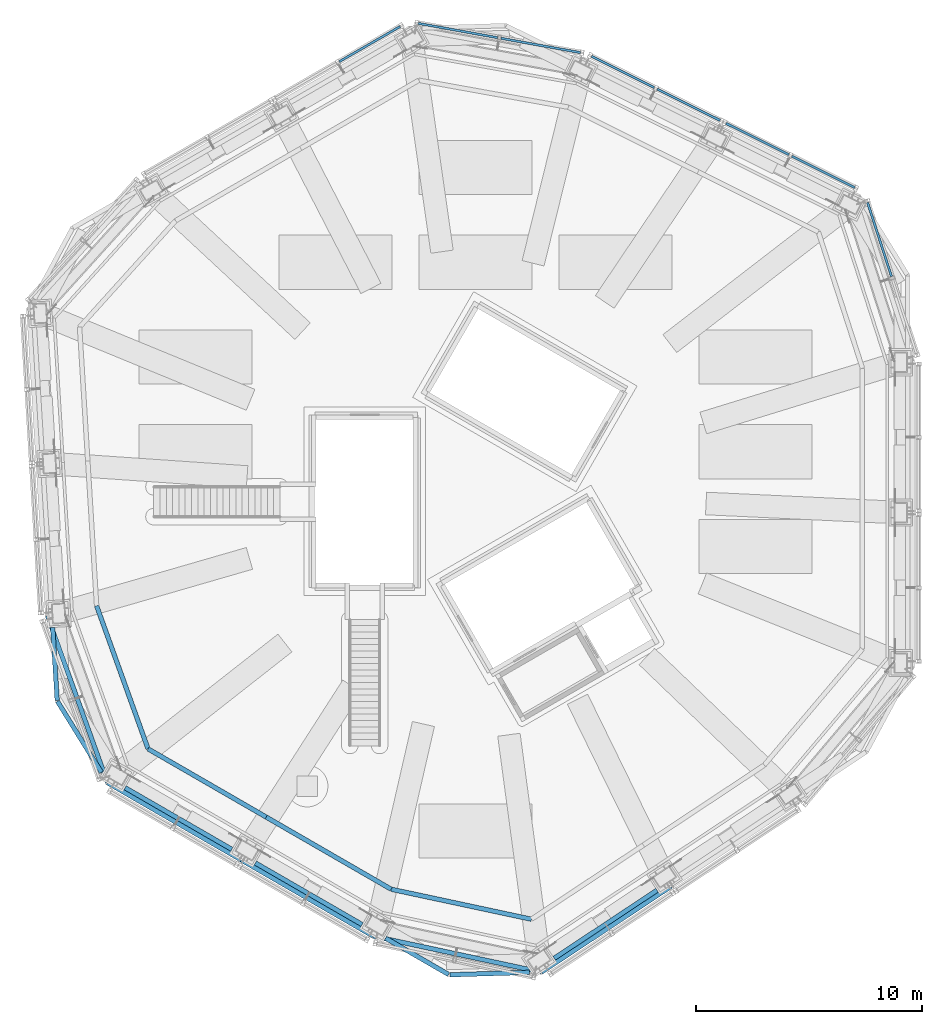
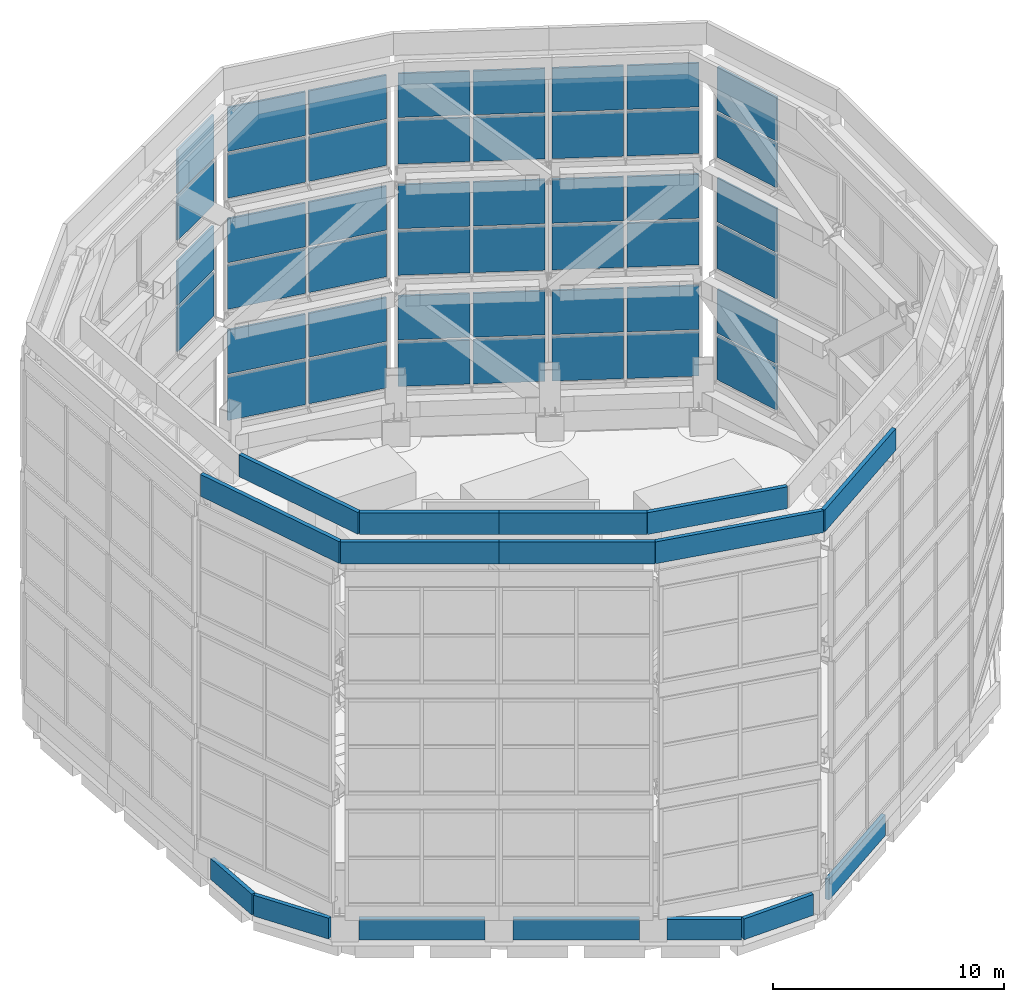
# One storey, part 20 of 46: 46 plates, 16 walls, 14 elements without a shape of their own.
"""IFC4 building model written with IfcOpenShell, lengths in metres."""

from ifc_helpers import new_model, si_unit, direction, frame, frame_2d, origin, origin_2d, place, context, subcontext, project, spatial, rectangle, extrude, material, layer, layer_set, type_object, element, aggregate, save


model = new_model("IFC4")

# Units and contexts
model_context = context("Model", 3, precision=1e-05, world=origin(), true_north=direction((0.0, 1.0)))
body_context = subcontext(model_context, "Body", "Model", "MODEL_VIEW")
ifc_project = project(units=[si_unit("LENGTHUNIT", "METRE"), si_unit("AREAUNIT", "SQUARE_METRE"), si_unit("VOLUMEUNIT", "CUBIC_METRE"), si_unit("PLANEANGLEUNIT", "RADIAN"), si_unit("MASSUNIT", "GRAM", prefix="KILO")], contexts=[model_context])

# Site, building, storey
site_placement = place(None, origin())
site = spatial("IfcSite", under=ifc_project, at=site_placement, CompositionType="ELEMENT")
building_placement = place(site_placement, origin())
building = spatial("IfcBuilding", under=site, at=building_placement, Name="Vanh Sen Convention Tower", CompositionType="ELEMENT")
storey_placement = place(building_placement, frame((0.0, 0.0, 305.0)))
storey = spatial("IfcBuildingStorey", under=building, at=storey_placement, Name="Roof level", CompositionType="ELEMENT", Elevation=305.0)

# Curtain wall, plates
ifc_material_1 = material(Name="Concrete C60/75", Category="concrete")
curtain_wall_type = type_object("IfcCurtainWallType", Name="Crown screen", PredefinedType="NOTDEFINED", material=ifc_material_1)
curtain_wall_1_placement = place(storey_placement, origin())
curtain_wall_1 = element("IfcCurtainWall", 1, at=curtain_wall_1_placement, inside=storey, type_object=curtain_wall_type, Name="CROWN SCREEN 03 tier 1", PredefinedType="NOTDEFINED")
ifc_layer_1 = layer(ifc_material_1, 0.10009765625)
ifc_layer_set_1 = layer_set([ifc_layer_1], Name="Concrete C60/75")
plate_type = type_object("IfcPlateType", Name="Crown screen precast panel 100", PredefinedType="CURTAIN_PANEL", material=ifc_layer_set_1)
plate_1_placement = place(storey_placement, frame((17.85595703125, 11.21728515625, 2.294921875), z_axis=(0.0, 0.0, 1.0), x_axis=(-0.307732807972, 0.951472815638, 0.0)))
plate_1 = element("IfcPlate", 2, at=plate_1_placement, type_object=plate_type, Name="CROWN SCREEN6 panel 2.1", PredefinedType="CURTAIN_PANEL", context=body_context, shape_type="SweptSolid", body=[
    extrude(rectangle(XDim=3.442626953125, YDim=0.10009765625, at=origin_2d()), origin(), (0.0, 0.0, 1.0), 2.30908203125),
])
plate_2_placement = place(storey_placement, frame((17.85595703125, 11.21728515625, 4.754150390625), z_axis=(0.0, 0.0, 1.0), x_axis=(-0.307732807972, 0.951472815638, 0.0)))
plate_2 = element("IfcPlate", 3, at=plate_2_placement, type_object=plate_type, Name="CROWN SCREEN6 panel 2.2", PredefinedType="CURTAIN_PANEL", context=body_context, shape_type="SweptSolid", body=[
    extrude(rectangle(XDim=3.442626953125, YDim=0.10009765625, at=origin_2d()), origin(), (0.0, 0.0, 1.0), 2.30908203125),
])
aggregate(curtain_wall_1, [plate_1, plate_2])

curtain_wall_2_placement = place(storey_placement, origin())
curtain_wall_2 = element("IfcCurtainWall", 4, at=curtain_wall_2_placement, inside=storey, type_object=curtain_wall_type, Name="CROWN SCREEN 03 tier 2", PredefinedType="NOTDEFINED")
plate_3_placement = place(storey_placement, frame((17.85595703125, 11.21728515625, 8.163330078125), z_axis=(0.0, 0.0, 1.0), x_axis=(-0.307732807972, 0.951472815638, 0.0)))
plate_3 = element("IfcPlate", 5, at=plate_3_placement, type_object=plate_type, Name="CROWN SCREEN6 panel 2.1", PredefinedType="CURTAIN_PANEL", context=body_context, shape_type="SweptSolid", body=[
    extrude(rectangle(XDim=3.442626953125, YDim=0.10009765625, at=origin_2d()), origin(), (0.0, 0.0, 1.0), 2.30908203125),
])
plate_4_placement = place(storey_placement, frame((17.85595703125, 11.21728515625, 10.62255859375), z_axis=(0.0, 0.0, 1.0), x_axis=(-0.307732807972, 0.951472815638, 0.0)))
plate_4 = element("IfcPlate", 6, at=plate_4_placement, type_object=plate_type, Name="CROWN SCREEN6 panel 2.2", PredefinedType="CURTAIN_PANEL", context=body_context, shape_type="SweptSolid", body=[
    extrude(rectangle(XDim=3.442626953125, YDim=0.10009765625, at=origin_2d()), origin(), (0.0, 0.0, 1.0), 2.30908203125),
])
aggregate(curtain_wall_2, [plate_3, plate_4])

curtain_wall_3_placement = place(storey_placement, origin())
curtain_wall_3 = element("IfcCurtainWall", 7, at=curtain_wall_3_placement, inside=storey, type_object=curtain_wall_type, Name="CROWN SCREEN 03 tier 3", PredefinedType="NOTDEFINED")
plate_5_placement = place(storey_placement, frame((17.85595703125, 11.21728515625, 14.03173828125), z_axis=(0.0, 0.0, 1.0), x_axis=(-0.307732807972, 0.951472815638, 0.0)))
plate_5 = element("IfcPlate", 8, at=plate_5_placement, type_object=plate_type, Name="CROWN SCREEN6 panel 2.1", PredefinedType="CURTAIN_PANEL", context=body_context, shape_type="SweptSolid", body=[
    extrude(rectangle(XDim=3.442626953125, YDim=0.10009765625, at=origin_2d()), origin(), (0.0, 0.0, 1.0), 2.30908203125),
])
plate_6_placement = place(storey_placement, frame((17.85595703125, 11.21728515625, 16.490966796875), z_axis=(0.0, 0.0, 1.0), x_axis=(-0.307732807972, 0.951472815638, 0.0)))
plate_6 = element("IfcPlate", 9, at=plate_6_placement, type_object=plate_type, Name="CROWN SCREEN6 panel 2.2", PredefinedType="CURTAIN_PANEL", context=body_context, shape_type="SweptSolid", body=[
    extrude(rectangle(XDim=3.442626953125, YDim=0.10009765625, at=origin_2d()), origin(), (0.0, 0.0, 1.0), 2.30908203125),
])
aggregate(curtain_wall_3, [plate_5, plate_6])

curtain_wall_4_placement = place(storey_placement, origin())
curtain_wall_4 = element("IfcCurtainWall", 10, at=curtain_wall_4_placement, inside=storey, type_object=curtain_wall_type, Name="CROWN SCREEN 04 tier 1", PredefinedType="NOTDEFINED")
plate_7_placement = place(storey_placement, frame((15.3642578125, 14.212890625, 2.294921875), z_axis=(0.0, 0.0, 1.0), x_axis=(-0.894930876482, 0.446204803111, 0.0)))
plate_7 = element("IfcPlate", 11, at=plate_7_placement, type_object=plate_type, Name="CROWN SCREEN6 panel 1.1", PredefinedType="CURTAIN_PANEL", context=body_context, shape_type="SweptSolid", body=[
    extrude(rectangle(XDim=3.106689453125, YDim=0.10009765625, at=origin_2d()), origin(), (0.0, 0.0, 1.0), 2.30908203125),
])
plate_8_placement = place(storey_placement, frame((15.3642578125, 14.212890625, 4.754150390625), z_axis=(0.0, 0.0, 1.0), x_axis=(-0.894930876482, 0.446204803111, 0.0)))
plate_8 = element("IfcPlate", 12, at=plate_8_placement, type_object=plate_type, Name="CROWN SCREEN6 panel 1.2", PredefinedType="CURTAIN_PANEL", context=body_context, shape_type="SweptSolid", body=[
    extrude(rectangle(XDim=3.106689453125, YDim=0.10009765625, at=origin_2d()), origin(), (0.0, 0.0, 1.0), 2.30908203125),
])
plate_9_placement = place(storey_placement, frame((12.44970703125, 15.666015625, 2.294921875), z_axis=(0.0, 0.0, 1.0), x_axis=(-0.894930876482, 0.446204803111, 0.0)))
plate_9 = element("IfcPlate", 13, at=plate_9_placement, type_object=plate_type, Name="CROWN SCREEN6 panel 2.1", PredefinedType="CURTAIN_PANEL", context=body_context, shape_type="SweptSolid", body=[
    extrude(rectangle(XDim=3.106689453125, YDim=0.10009765625, at=origin_2d()), origin(), (0.0, 0.0, 1.0), 2.30908203125),
])
plate_10_placement = place(storey_placement, frame((12.44970703125, 15.666015625, 4.754150390625), z_axis=(0.0, 0.0, 1.0), x_axis=(-0.894930876482, 0.446204803111, 0.0)))
plate_10 = element("IfcPlate", 14, at=plate_10_placement, type_object=plate_type, Name="CROWN SCREEN6 panel 2.2", PredefinedType="CURTAIN_PANEL", context=body_context, shape_type="SweptSolid", body=[
    extrude(rectangle(XDim=3.106689453125, YDim=0.10009765625, at=origin_2d()), origin(), (0.0, 0.0, 1.0), 2.30908203125),
])
aggregate(curtain_wall_4, [plate_7, plate_8, plate_9, plate_10])

curtain_wall_5_placement = place(storey_placement, origin())
curtain_wall_5 = element("IfcCurtainWall", 15, at=curtain_wall_5_placement, inside=storey, type_object=curtain_wall_type, Name="CROWN SCREEN 04 tier 2", PredefinedType="NOTDEFINED")
plate_11_placement = place(storey_placement, frame((15.3642578125, 14.212890625, 8.163330078125), z_axis=(0.0, 0.0, 1.0), x_axis=(-0.894930876482, 0.446204803111, 0.0)))
plate_11 = element("IfcPlate", 16, at=plate_11_placement, type_object=plate_type, Name="CROWN SCREEN6 panel 1.1", PredefinedType="CURTAIN_PANEL", context=body_context, shape_type="SweptSolid", body=[
    extrude(rectangle(XDim=3.106689453125, YDim=0.10009765625, at=origin_2d()), origin(), (0.0, 0.0, 1.0), 2.30908203125),
])
plate_12_placement = place(storey_placement, frame((15.3642578125, 14.212890625, 10.62255859375), z_axis=(0.0, 0.0, 1.0), x_axis=(-0.894930876482, 0.446204803111, 0.0)))
plate_12 = element("IfcPlate", 17, at=plate_12_placement, type_object=plate_type, Name="CROWN SCREEN6 panel 1.2", PredefinedType="CURTAIN_PANEL", context=body_context, shape_type="SweptSolid", body=[
    extrude(rectangle(XDim=3.106689453125, YDim=0.10009765625, at=origin_2d()), origin(), (0.0, 0.0, 1.0), 2.30908203125),
])
plate_13_placement = place(storey_placement, frame((12.44970703125, 15.666015625, 8.163330078125), z_axis=(0.0, 0.0, 1.0), x_axis=(-0.894930876482, 0.446204803111, 0.0)))
plate_13 = element("IfcPlate", 18, at=plate_13_placement, type_object=plate_type, Name="CROWN SCREEN6 panel 2.1", PredefinedType="CURTAIN_PANEL", context=body_context, shape_type="SweptSolid", body=[
    extrude(rectangle(XDim=3.106689453125, YDim=0.10009765625, at=origin_2d()), origin(), (0.0, 0.0, 1.0), 2.30908203125),
])
plate_14_placement = place(storey_placement, frame((12.44970703125, 15.666015625, 10.62255859375), z_axis=(0.0, 0.0, 1.0), x_axis=(-0.894930876482, 0.446204803111, 0.0)))
plate_14 = element("IfcPlate", 19, at=plate_14_placement, type_object=plate_type, Name="CROWN SCREEN6 panel 2.2", PredefinedType="CURTAIN_PANEL", context=body_context, shape_type="SweptSolid", body=[
    extrude(rectangle(XDim=3.106689453125, YDim=0.10009765625, at=origin_2d()), origin(), (0.0, 0.0, 1.0), 2.30908203125),
])
aggregate(curtain_wall_5, [plate_11, plate_12, plate_13, plate_14])

curtain_wall_6_placement = place(storey_placement, origin())
curtain_wall_6 = element("IfcCurtainWall", 20, at=curtain_wall_6_placement, inside=storey, type_object=curtain_wall_type, Name="CROWN SCREEN 04 tier 3", PredefinedType="NOTDEFINED")
plate_15_placement = place(storey_placement, frame((15.3642578125, 14.212890625, 14.03173828125), z_axis=(0.0, 0.0, 1.0), x_axis=(-0.894930876482, 0.446204803111, 0.0)))
plate_15 = element("IfcPlate", 21, at=plate_15_placement, type_object=plate_type, Name="CROWN SCREEN6 panel 1.1", PredefinedType="CURTAIN_PANEL", context=body_context, shape_type="SweptSolid", body=[
    extrude(rectangle(XDim=3.106689453125, YDim=0.10009765625, at=origin_2d()), origin(), (0.0, 0.0, 1.0), 2.30908203125),
])
plate_16_placement = place(storey_placement, frame((15.3642578125, 14.212890625, 16.490966796875), z_axis=(0.0, 0.0, 1.0), x_axis=(-0.894930876482, 0.446204803111, 0.0)))
plate_16 = element("IfcPlate", 22, at=plate_16_placement, type_object=plate_type, Name="CROWN SCREEN6 panel 1.2", PredefinedType="CURTAIN_PANEL", context=body_context, shape_type="SweptSolid", body=[
    extrude(rectangle(XDim=3.106689453125, YDim=0.10009765625, at=origin_2d()), origin(), (0.0, 0.0, 1.0), 2.30908203125),
])
plate_17_placement = place(storey_placement, frame((12.44970703125, 15.666015625, 14.03173828125), z_axis=(0.0, 0.0, 1.0), x_axis=(-0.894930876482, 0.446204803111, 0.0)))
plate_17 = element("IfcPlate", 23, at=plate_17_placement, type_object=plate_type, Name="CROWN SCREEN6 panel 2.1", PredefinedType="CURTAIN_PANEL", context=body_context, shape_type="SweptSolid", body=[
    extrude(rectangle(XDim=3.106689453125, YDim=0.10009765625, at=origin_2d()), origin(), (0.0, 0.0, 1.0), 2.30908203125),
])
plate_18_placement = place(storey_placement, frame((12.44970703125, 15.666015625, 16.490966796875), z_axis=(0.0, 0.0, 1.0), x_axis=(-0.894930876482, 0.446204803111, 0.0)))
plate_18 = element("IfcPlate", 24, at=plate_18_placement, type_object=plate_type, Name="CROWN SCREEN6 panel 2.2", PredefinedType="CURTAIN_PANEL", context=body_context, shape_type="SweptSolid", body=[
    extrude(rectangle(XDim=3.106689453125, YDim=0.10009765625, at=origin_2d()), origin(), (0.0, 0.0, 1.0), 2.30908203125),
])
aggregate(curtain_wall_6, [plate_15, plate_16, plate_17, plate_18])

curtain_wall_7_placement = place(storey_placement, origin())
curtain_wall_7 = element("IfcCurtainWall", 25, at=curtain_wall_7_placement, inside=storey, type_object=curtain_wall_type, Name="CROWN SCREEN 05 tier 1", PredefinedType="NOTDEFINED")
plate_19_placement = place(storey_placement, frame((9.40087890625, 17.18603515625, 2.294921875), z_axis=(0.0, 0.0, 1.0), x_axis=(-0.894936869295, 0.44619278342, 0.0)))
plate_19 = element("IfcPlate", 26, at=plate_19_placement, type_object=plate_type, Name="CROWN SCREEN6 panel 1.1", PredefinedType="CURTAIN_PANEL", context=body_context, shape_type="SweptSolid", body=[
    extrude(rectangle(XDim=3.106689453125, YDim=0.10009765625, at=origin_2d()), origin(), (0.0, 0.0, 1.0), 2.30908203125),
])
plate_20_placement = place(storey_placement, frame((9.40087890625, 17.18603515625, 4.754150390625), z_axis=(0.0, 0.0, 1.0), x_axis=(-0.894936869295, 0.44619278342, 0.0)))
plate_20 = element("IfcPlate", 27, at=plate_20_placement, type_object=plate_type, Name="CROWN SCREEN6 panel 1.2", PredefinedType="CURTAIN_PANEL", context=body_context, shape_type="SweptSolid", body=[
    extrude(rectangle(XDim=3.106689453125, YDim=0.10009765625, at=origin_2d()), origin(), (0.0, 0.0, 1.0), 2.30908203125),
])
plate_21_placement = place(storey_placement, frame((6.486572265625, 18.63916015625, 2.294921875), z_axis=(0.0, 0.0, 1.0), x_axis=(-0.894936869295, 0.44619278342, 0.0)))
plate_21 = element("IfcPlate", 28, at=plate_21_placement, type_object=plate_type, Name="CROWN SCREEN6 panel 2.1", PredefinedType="CURTAIN_PANEL", context=body_context, shape_type="SweptSolid", body=[
    extrude(rectangle(XDim=3.106689453125, YDim=0.10009765625, at=origin_2d()), origin(), (0.0, 0.0, 1.0), 2.30908203125),
])
plate_22_placement = place(storey_placement, frame((6.486572265625, 18.63916015625, 4.754150390625), z_axis=(0.0, 0.0, 1.0), x_axis=(-0.894936869295, 0.44619278342, 0.0)))
plate_22 = element("IfcPlate", 29, at=plate_22_placement, type_object=plate_type, Name="CROWN SCREEN6 panel 2.2", PredefinedType="CURTAIN_PANEL", context=body_context, shape_type="SweptSolid", body=[
    extrude(rectangle(XDim=3.106689453125, YDim=0.10009765625, at=origin_2d()), origin(), (0.0, 0.0, 1.0), 2.30908203125),
])
aggregate(curtain_wall_7, [plate_19, plate_20, plate_21, plate_22])

curtain_wall_8_placement = place(storey_placement, origin())
curtain_wall_8 = element("IfcCurtainWall", 30, at=curtain_wall_8_placement, inside=storey, type_object=curtain_wall_type, Name="CROWN SCREEN 05 tier 2", PredefinedType="NOTDEFINED")
plate_23_placement = place(storey_placement, frame((9.40087890625, 17.18603515625, 8.163330078125), z_axis=(0.0, 0.0, 1.0), x_axis=(-0.894936869295, 0.44619278342, 0.0)))
plate_23 = element("IfcPlate", 31, at=plate_23_placement, type_object=plate_type, Name="CROWN SCREEN6 panel 1.1", PredefinedType="CURTAIN_PANEL", context=body_context, shape_type="SweptSolid", body=[
    extrude(rectangle(XDim=3.106689453125, YDim=0.10009765625, at=origin_2d()), origin(), (0.0, 0.0, 1.0), 2.30908203125),
])
plate_24_placement = place(storey_placement, frame((9.40087890625, 17.18603515625, 10.62255859375), z_axis=(0.0, 0.0, 1.0), x_axis=(-0.894936869295, 0.44619278342, 0.0)))
plate_24 = element("IfcPlate", 32, at=plate_24_placement, type_object=plate_type, Name="CROWN SCREEN6 panel 1.2", PredefinedType="CURTAIN_PANEL", context=body_context, shape_type="SweptSolid", body=[
    extrude(rectangle(XDim=3.106689453125, YDim=0.10009765625, at=origin_2d()), origin(), (0.0, 0.0, 1.0), 2.30908203125),
])
plate_25_placement = place(storey_placement, frame((6.486572265625, 18.63916015625, 8.163330078125), z_axis=(0.0, 0.0, 1.0), x_axis=(-0.894936869295, 0.44619278342, 0.0)))
plate_25 = element("IfcPlate", 33, at=plate_25_placement, type_object=plate_type, Name="CROWN SCREEN6 panel 2.1", PredefinedType="CURTAIN_PANEL", context=body_context, shape_type="SweptSolid", body=[
    extrude(rectangle(XDim=3.106689453125, YDim=0.10009765625, at=origin_2d()), origin(), (0.0, 0.0, 1.0), 2.30908203125),
])
plate_26_placement = place(storey_placement, frame((6.486572265625, 18.63916015625, 10.62255859375), z_axis=(0.0, 0.0, 1.0), x_axis=(-0.894936869295, 0.44619278342, 0.0)))
plate_26 = element("IfcPlate", 34, at=plate_26_placement, type_object=plate_type, Name="CROWN SCREEN6 panel 2.2", PredefinedType="CURTAIN_PANEL", context=body_context, shape_type="SweptSolid", body=[
    extrude(rectangle(XDim=3.106689453125, YDim=0.10009765625, at=origin_2d()), origin(), (0.0, 0.0, 1.0), 2.30908203125),
])
aggregate(curtain_wall_8, [plate_23, plate_24, plate_25, plate_26])

curtain_wall_9_placement = place(storey_placement, origin())
curtain_wall_9 = element("IfcCurtainWall", 35, at=curtain_wall_9_placement, inside=storey, type_object=curtain_wall_type, Name="CROWN SCREEN 05 tier 3", PredefinedType="NOTDEFINED")
plate_27_placement = place(storey_placement, frame((9.40087890625, 17.18603515625, 14.03173828125), z_axis=(0.0, 0.0, 1.0), x_axis=(-0.894936869295, 0.44619278342, 0.0)))
plate_27 = element("IfcPlate", 36, at=plate_27_placement, type_object=plate_type, Name="CROWN SCREEN6 panel 1.1", PredefinedType="CURTAIN_PANEL", context=body_context, shape_type="SweptSolid", body=[
    extrude(rectangle(XDim=3.106689453125, YDim=0.10009765625, at=origin_2d()), origin(), (0.0, 0.0, 1.0), 2.30908203125),
])
plate_28_placement = place(storey_placement, frame((9.40087890625, 17.18603515625, 16.490966796875), z_axis=(0.0, 0.0, 1.0), x_axis=(-0.894936869295, 0.44619278342, 0.0)))
plate_28 = element("IfcPlate", 37, at=plate_28_placement, type_object=plate_type, Name="CROWN SCREEN6 panel 1.2", PredefinedType="CURTAIN_PANEL", context=body_context, shape_type="SweptSolid", body=[
    extrude(rectangle(XDim=3.106689453125, YDim=0.10009765625, at=origin_2d()), origin(), (0.0, 0.0, 1.0), 2.30908203125),
])
plate_29_placement = place(storey_placement, frame((6.486572265625, 18.63916015625, 14.03173828125), z_axis=(0.0, 0.0, 1.0), x_axis=(-0.894936869295, 0.44619278342, 0.0)))
plate_29 = element("IfcPlate", 38, at=plate_29_placement, type_object=plate_type, Name="CROWN SCREEN6 panel 2.1", PredefinedType="CURTAIN_PANEL", context=body_context, shape_type="SweptSolid", body=[
    extrude(rectangle(XDim=3.106689453125, YDim=0.10009765625, at=origin_2d()), origin(), (0.0, 0.0, 1.0), 2.30908203125),
])
plate_30_placement = place(storey_placement, frame((6.486572265625, 18.63916015625, 16.490966796875), z_axis=(0.0, 0.0, 1.0), x_axis=(-0.894936869295, 0.44619278342, 0.0)))
plate_30 = element("IfcPlate", 39, at=plate_30_placement, type_object=plate_type, Name="CROWN SCREEN6 panel 2.2", PredefinedType="CURTAIN_PANEL", context=body_context, shape_type="SweptSolid", body=[
    extrude(rectangle(XDim=3.106689453125, YDim=0.10009765625, at=origin_2d()), origin(), (0.0, 0.0, 1.0), 2.30908203125),
])
aggregate(curtain_wall_9, [plate_27, plate_28, plate_29, plate_30])

curtain_wall_10_placement = place(storey_placement, origin())
curtain_wall_10 = element("IfcCurtainWall", 40, at=curtain_wall_10_placement, inside=storey, type_object=curtain_wall_type, Name="CROWN SCREEN 06 tier 1", PredefinedType="NOTDEFINED")
plate_31_placement = place(storey_placement, frame((2.846923828125, 19.812255859375, 2.294921875), z_axis=(0.0, 0.0, 1.0), x_axis=(-0.984121517761, 0.177496023276, 0.0)))
plate_31 = element("IfcPlate", 41, at=plate_31_placement, type_object=plate_type, Name="CROWN SCREEN6 panel 1.1", PredefinedType="CURTAIN_PANEL", context=body_context, shape_type="SweptSolid", body=[
    extrude(rectangle(XDim=3.57568359375, YDim=0.10009765625, at=origin_2d()), origin(), (0.0, 0.0, 1.0), 2.30908203125),
])
plate_32_placement = place(storey_placement, frame((2.846923828125, 19.812255859375, 4.754150390625), z_axis=(0.0, 0.0, 1.0), x_axis=(-0.984121517761, 0.177496023276, 0.0)))
plate_32 = element("IfcPlate", 42, at=plate_32_placement, type_object=plate_type, Name="CROWN SCREEN6 panel 1.2", PredefinedType="CURTAIN_PANEL", context=body_context, shape_type="SweptSolid", body=[
    extrude(rectangle(XDim=3.57568359375, YDim=0.10009765625, at=origin_2d()), origin(), (0.0, 0.0, 1.0), 2.30908203125),
])
plate_33_placement = place(storey_placement, frame((-0.819580078125, 20.473388671875, 2.294921875), z_axis=(0.0, 0.0, 1.0), x_axis=(-0.984121517761, 0.177496023276, 0.0)))
plate_33 = element("IfcPlate", 43, at=plate_33_placement, type_object=plate_type, Name="CROWN SCREEN6 panel 2.1", PredefinedType="CURTAIN_PANEL", context=body_context, shape_type="SweptSolid", body=[
    extrude(rectangle(XDim=3.57568359375, YDim=0.10009765625, at=origin_2d()), origin(), (0.0, 0.0, 1.0), 2.30908203125),
])
plate_34_placement = place(storey_placement, frame((-0.819580078125, 20.473388671875, 4.754150390625), z_axis=(0.0, 0.0, 1.0), x_axis=(-0.984121517761, 0.177496023276, 0.0)))
plate_34 = element("IfcPlate", 44, at=plate_34_placement, type_object=plate_type, Name="CROWN SCREEN6 panel 2.2", PredefinedType="CURTAIN_PANEL", context=body_context, shape_type="SweptSolid", body=[
    extrude(rectangle(XDim=3.57568359375, YDim=0.10009765625, at=origin_2d()), origin(), (0.0, 0.0, 1.0), 2.30908203125),
])
aggregate(curtain_wall_10, [plate_31, plate_32, plate_33, plate_34])

curtain_wall_11_placement = place(storey_placement, origin())
curtain_wall_11 = element("IfcCurtainWall", 45, at=curtain_wall_11_placement, inside=storey, type_object=curtain_wall_type, Name="CROWN SCREEN 06 tier 2", PredefinedType="NOTDEFINED")
plate_35_placement = place(storey_placement, frame((2.846923828125, 19.812255859375, 8.163330078125), z_axis=(0.0, 0.0, 1.0), x_axis=(-0.984121517761, 0.177496023276, 0.0)))
plate_35 = element("IfcPlate", 46, at=plate_35_placement, type_object=plate_type, Name="CROWN SCREEN6 panel 1.1", PredefinedType="CURTAIN_PANEL", context=body_context, shape_type="SweptSolid", body=[
    extrude(rectangle(XDim=3.57568359375, YDim=0.10009765625, at=origin_2d()), origin(), (0.0, 0.0, 1.0), 2.30908203125),
])
plate_36_placement = place(storey_placement, frame((2.846923828125, 19.812255859375, 10.62255859375), z_axis=(0.0, 0.0, 1.0), x_axis=(-0.984121517761, 0.177496023276, 0.0)))
plate_36 = element("IfcPlate", 47, at=plate_36_placement, type_object=plate_type, Name="CROWN SCREEN6 panel 1.2", PredefinedType="CURTAIN_PANEL", context=body_context, shape_type="SweptSolid", body=[
    extrude(rectangle(XDim=3.57568359375, YDim=0.10009765625, at=origin_2d()), origin(), (0.0, 0.0, 1.0), 2.30908203125),
])
plate_37_placement = place(storey_placement, frame((-0.819580078125, 20.473388671875, 8.163330078125), z_axis=(0.0, 0.0, 1.0), x_axis=(-0.984121517761, 0.177496023276, 0.0)))
plate_37 = element("IfcPlate", 48, at=plate_37_placement, type_object=plate_type, Name="CROWN SCREEN6 panel 2.1", PredefinedType="CURTAIN_PANEL", context=body_context, shape_type="SweptSolid", body=[
    extrude(rectangle(XDim=3.57568359375, YDim=0.10009765625, at=origin_2d()), origin(), (0.0, 0.0, 1.0), 2.30908203125),
])
plate_38_placement = place(storey_placement, frame((-0.819580078125, 20.473388671875, 10.62255859375), z_axis=(0.0, 0.0, 1.0), x_axis=(-0.984121517761, 0.177496023276, 0.0)))
plate_38 = element("IfcPlate", 49, at=plate_38_placement, type_object=plate_type, Name="CROWN SCREEN6 panel 2.2", PredefinedType="CURTAIN_PANEL", context=body_context, shape_type="SweptSolid", body=[
    extrude(rectangle(XDim=3.57568359375, YDim=0.10009765625, at=origin_2d()), origin(), (0.0, 0.0, 1.0), 2.30908203125),
])
aggregate(curtain_wall_11, [plate_35, plate_36, plate_37, plate_38])

curtain_wall_12_placement = place(storey_placement, origin())
curtain_wall_12 = element("IfcCurtainWall", 50, at=curtain_wall_12_placement, inside=storey, type_object=curtain_wall_type, Name="CROWN SCREEN 06 tier 3", PredefinedType="NOTDEFINED")
plate_39_placement = place(storey_placement, frame((2.846923828125, 19.812255859375, 14.03173828125), z_axis=(0.0, 0.0, 1.0), x_axis=(-0.984121517761, 0.177496023276, 0.0)))
plate_39 = element("IfcPlate", 51, at=plate_39_placement, type_object=plate_type, Name="CROWN SCREEN6 panel 1.1", PredefinedType="CURTAIN_PANEL", context=body_context, shape_type="SweptSolid", body=[
    extrude(rectangle(XDim=3.57568359375, YDim=0.10009765625, at=origin_2d()), origin(), (0.0, 0.0, 1.0), 2.30908203125),
])
plate_40_placement = place(storey_placement, frame((2.846923828125, 19.812255859375, 16.490966796875), z_axis=(0.0, 0.0, 1.0), x_axis=(-0.984121517761, 0.177496023276, 0.0)))
plate_40 = element("IfcPlate", 52, at=plate_40_placement, type_object=plate_type, Name="CROWN SCREEN6 panel 1.2", PredefinedType="CURTAIN_PANEL", context=body_context, shape_type="SweptSolid", body=[
    extrude(rectangle(XDim=3.57568359375, YDim=0.10009765625, at=origin_2d()), origin(), (0.0, 0.0, 1.0), 2.30908203125),
])
plate_41_placement = place(storey_placement, frame((-0.819580078125, 20.473388671875, 14.03173828125), z_axis=(0.0, 0.0, 1.0), x_axis=(-0.984121517761, 0.177496023276, 0.0)))
plate_41 = element("IfcPlate", 53, at=plate_41_placement, type_object=plate_type, Name="CROWN SCREEN6 panel 2.1", PredefinedType="CURTAIN_PANEL", context=body_context, shape_type="SweptSolid", body=[
    extrude(rectangle(XDim=3.57568359375, YDim=0.10009765625, at=origin_2d()), origin(), (0.0, 0.0, 1.0), 2.30908203125),
])
plate_42_placement = place(storey_placement, frame((-0.819580078125, 20.473388671875, 16.490966796875), z_axis=(0.0, 0.0, 1.0), x_axis=(-0.984121517761, 0.177496023276, 0.0)))
plate_42 = element("IfcPlate", 54, at=plate_42_placement, type_object=plate_type, Name="CROWN SCREEN6 panel 2.2", PredefinedType="CURTAIN_PANEL", context=body_context, shape_type="SweptSolid", body=[
    extrude(rectangle(XDim=3.57568359375, YDim=0.10009765625, at=origin_2d()), origin(), (0.0, 0.0, 1.0), 2.30908203125),
])
aggregate(curtain_wall_12, [plate_39, plate_40, plate_41, plate_42])

curtain_wall_13_placement = place(storey_placement, origin())
curtain_wall_13 = element("IfcCurtainWall", 55, at=curtain_wall_13_placement, inside=storey, type_object=curtain_wall_type, Name="CROWN SCREEN 07 tier 2", PredefinedType="NOTDEFINED")
plate_43_placement = place(storey_placement, frame((-4.726806640625, 19.874267578125, 8.163330078125), z_axis=(0.0, 0.0, 1.0), x_axis=(-0.866022639554, -0.500004787758, 0.0)))
plate_43 = element("IfcPlate", 56, at=plate_43_placement, type_object=plate_type, Name="CROWN SCREEN6 panel 1.1", PredefinedType="CURTAIN_PANEL", context=body_context, shape_type="SweptSolid", body=[
    extrude(rectangle(XDim=3.106689453125, YDim=0.10009765625, at=origin_2d()), origin(), (0.0, 0.0, 1.0), 2.30908203125),
])
plate_44_placement = place(storey_placement, frame((-4.726806640625, 19.874267578125, 10.62255859375), z_axis=(0.0, 0.0, 1.0), x_axis=(-0.866022639554, -0.500004787758, 0.0)))
plate_44 = element("IfcPlate", 57, at=plate_44_placement, type_object=plate_type, Name="CROWN SCREEN6 panel 1.2", PredefinedType="CURTAIN_PANEL", context=body_context, shape_type="SweptSolid", body=[
    extrude(rectangle(XDim=3.106689453125, YDim=0.10009765625, at=origin_2d()), origin(), (0.0, 0.0, 1.0), 2.30908203125),
])
aggregate(curtain_wall_13, [plate_43, plate_44])

curtain_wall_14_placement = place(storey_placement, origin())
curtain_wall_14 = element("IfcCurtainWall", 58, at=curtain_wall_14_placement, inside=storey, type_object=curtain_wall_type, Name="CROWN SCREEN 07 tier 3", PredefinedType="NOTDEFINED")
plate_45_placement = place(storey_placement, frame((-4.726806640625, 19.874267578125, 14.03173828125), z_axis=(0.0, 0.0, 1.0), x_axis=(-0.866022639554, -0.500004787758, 0.0)))
plate_45 = element("IfcPlate", 59, at=plate_45_placement, type_object=plate_type, Name="CROWN SCREEN6 panel 1.1", PredefinedType="CURTAIN_PANEL", context=body_context, shape_type="SweptSolid", body=[
    extrude(rectangle(XDim=3.106689453125, YDim=0.10009765625, at=origin_2d()), origin(), (0.0, 0.0, 1.0), 2.30908203125),
])
plate_46_placement = place(storey_placement, frame((-4.726806640625, 19.874267578125, 16.490966796875), z_axis=(0.0, 0.0, 1.0), x_axis=(-0.866022639554, -0.500004787758, 0.0)))
plate_46 = element("IfcPlate", 60, at=plate_46_placement, type_object=plate_type, Name="CROWN SCREEN6 panel 1.2", PredefinedType="CURTAIN_PANEL", context=body_context, shape_type="SweptSolid", body=[
    extrude(rectangle(XDim=3.106689453125, YDim=0.10009765625, at=origin_2d()), origin(), (0.0, 0.0, 1.0), 2.30908203125),
])
aggregate(curtain_wall_14, [plate_45, plate_46])

# Walls
ifc_material_2 = material(Name="Concrete C50/60", Category="concrete")
ifc_layer_2 = layer(ifc_material_2, 0.199951171875)
ifc_layer_set_2 = layer_set([ifc_layer_2], Name="Concrete C50/60")
wall_type_1 = type_object("IfcWallType", Name="Crown deck parapet 200", PredefinedType="PARAPET", material=ifc_layer_set_2)
wall_1_placement = place(storey_placement, frame((-19.002197265625, -5.456787109375, 20.0), z_axis=(0.0, 0.0, 1.0), x_axis=(0.338339776855, -0.941024014251, 0.0)))
element("IfcWall", 61, at=wall_1_placement, inside=storey, type_object=wall_type_1, Name="Crown deck parapet outer 10", PredefinedType="PARAPET", context=body_context, shape_type="SweptSolid", body=[
    extrude(rectangle(XDim=7.85595703125, YDim=0.199951171875, at=frame_2d((3.927978515625, 0.0))), origin(), (0.0, 0.0, 1.0), 1.14990234375),
])
wall_2_placement = place(storey_placement, frame((-16.34423828125, -12.849365234375, 20.0), z_axis=(0.0, 0.0, 1.0), x_axis=(0.866018125449, -0.500012606236, 0.0)))
element("IfcWall", 62, at=wall_2_placement, inside=storey, type_object=wall_type_1, Name="Crown deck parapet outer 11", PredefinedType="PARAPET", context=body_context, shape_type="SweptSolid", body=[
    extrude(rectangle(XDim=6.846435546875, YDim=0.199951171875, at=frame_2d((3.42333984375, 0.0))), origin(), (0.0, 0.0, 1.0), 1.14990234375),
])
wall_3_placement = place(storey_placement, frame((-10.4150390625, -16.272705078125, 20.0), z_axis=(0.0, 0.0, 1.0), x_axis=(0.866039657273, -0.499975311422, 0.0)))
element("IfcWall", 63, at=wall_3_placement, inside=storey, type_object=wall_type_1, Name="Crown deck parapet outer 12", PredefinedType="PARAPET", context=body_context, shape_type="SweptSolid", body=[
    extrude(rectangle(XDim=6.741943359375, YDim=0.199951171875, at=frame_2d((3.37109375, 0.0))), origin(), (0.0, 0.0, 1.0), 1.14990234375),
])
wall_4_placement = place(storey_placement, frame((-4.576171875, -19.6435546875, 20.0), z_axis=(0.0, 0.0, 1.0), x_axis=(0.977859080833, -0.209264469111, 0.0)))
element("IfcWall", 64, at=wall_4_placement, inside=storey, type_object=wall_type_1, Name="Crown deck parapet outer 13", PredefinedType="PARAPET", context=body_context, shape_type="SweptSolid", body=[
    extrude(rectangle(XDim=7.6240234375, YDim=0.199951171875, at=frame_2d((3.81201171875, 0.0))), origin(), (0.0, 0.0, 1.0), 1.14990234375),
])
wall_5_placement = place(storey_placement, frame((2.879150390625, -21.239013671875, 20.0), z_axis=(0.0, 0.0, 1.0), x_axis=(0.833887249562, 0.551934828596, 0.0)))
element("IfcWall", 65, at=wall_5_placement, inside=storey, type_object=wall_type_1, Name="Crown deck parapet outer 14", PredefinedType="PARAPET", context=body_context, shape_type="SweptSolid", body=[
    extrude(rectangle(XDim=6.87353515625, YDim=0.199951171875, at=frame_2d((3.436767578125, 0.0))), origin(), (0.0, 0.0, 1.0), 1.14990234375),
])
wall_6_placement = place(storey_placement, frame((-16.82568359375, -5.008544921875, 20.0), z_axis=(0.0, 0.0, 1.0), x_axis=(0.338356213144, -0.941018104516, 0.0)))
element("IfcWall", 66, at=wall_6_placement, inside=storey, type_object=wall_type_1, Name="Crown deck parapet inner 10", PredefinedType="PARAPET", context=body_context, shape_type="SweptSolid", body=[
    extrude(rectangle(XDim=6.735595703125, YDim=0.199951171875, at=frame_2d((3.36767578125, 0.0))), origin(), (0.0, 0.0, 1.0), 1.14990234375),
])
wall_7_placement = place(storey_placement, frame((-14.546630859375, -11.346923828125, 20.0), z_axis=(0.0, 0.0, 1.0), x_axis=(0.866015980925, -0.500016320516, 0.0)))
element("IfcWall", 67, at=wall_7_placement, inside=storey, type_object=wall_type_1, Name="Crown deck parapet inner 11", PredefinedType="PARAPET", context=body_context, shape_type="SweptSolid", body=[
    extrude(rectangle(XDim=6.040771484375, YDim=0.199951171875, at=frame_2d((3.0205078125, 0.0))), origin(), (0.0, 0.0, 1.0), 1.14990234375),
])
wall_8_placement = place(storey_placement, frame((-9.315185546875, -14.367431640625, 20.0), z_axis=(0.0, 0.0, 1.0), x_axis=(0.866038102165, -0.499978005115, 0.0)))
element("IfcWall", 68, at=wall_8_placement, inside=storey, type_object=wall_type_1, Name="Crown deck parapet inner 12", PredefinedType="PARAPET", context=body_context, shape_type="SweptSolid", body=[
    extrude(rectangle(XDim=6.395263671875, YDim=0.199951171875, at=frame_2d((3.19775390625, 0.0))), origin(), (0.0, 0.0, 1.0), 1.14990234375),
])
wall_9_placement = place(storey_placement, frame((-3.776611328125, -17.56494140625, 20.0), z_axis=(0.0, 0.0, 1.0), x_axis=(0.977863109487, -0.209245642976, 0.0)))
element("IfcWall", 69, at=wall_9_placement, inside=storey, type_object=wall_type_1, Name="Crown deck parapet inner 13", PredefinedType="PARAPET", context=body_context, shape_type="SweptSolid", body=[
    extrude(rectangle(XDim=6.35302734375, YDim=0.199951171875, at=frame_2d((3.176513671875, 0.0))), origin(), (0.0, 0.0, 1.0), 1.14990234375),
])
ifc_layer_3 = layer(ifc_material_2, 0.199951171875)
ifc_layer_set_3 = layer_set([ifc_layer_3], Name="Concrete C50/60")
wall_type_2 = type_object("IfcWallType", Name="Roof parapet 200", PredefinedType="PARAPET", material=ifc_layer_set_3)
wall_10_placement = place(storey_placement, frame((-18.770263671875, -5.97412109375, 0.0), z_axis=(0.0, 0.0, 1.0), x_axis=(0.061008615637, -0.998137239471, 0.0)))
element("IfcWall", 70, at=wall_10_placement, inside=storey, type_object=wall_type_2, Name="Roof parapet W 3", PredefinedType="PARAPET", context=body_context, shape_type="SweptSolid", body=[
    extrude(rectangle(XDim=3.2294921875, YDim=0.199951171875, at=frame_2d((1.61474609375, 0.0))), origin(), (0.0, 0.0, 1.0), 1.10009765625),
])
wall_11_placement = place(storey_placement, frame((-18.558349609375, -9.243896484375, 0.0), z_axis=(0.0, 0.0, 1.0), x_axis=(0.526197618079, -0.850362314974, 0.0)))
element("IfcWall", 71, at=wall_11_placement, inside=storey, type_object=wall_type_2, Name="Roof parapet CH4", PredefinedType="PARAPET", context=body_context, shape_type="SweptSolid", body=[
    extrude(rectangle(XDim=3.694091796875, YDim=0.199951171875, at=frame_2d((1.84716796875, 0.0))), origin(), (0.0, 0.0, 1.0), 1.10009765625),
])
for number, where, z_axis, x_axis, name in (
    (72, (-15.564208984375, -13.068603515625, 0.0), (0.0, 0.0, 1.0), (0.866013551706, -0.50002052784, 0.0), "Roof parapet SW 1"),
    (73, (-9.793701171875, -16.400390625, 0.0), (0.0, 0.0, 1.0), (0.866032916588, -0.499986987217, 0.0), "Roof parapet SW 2"),
):
    element("IfcWall", number, at=place(storey_placement, frame(where, z_axis=z_axis, x_axis=x_axis)), inside=storey, type_object=wall_type_2, Name=name, PredefinedType="PARAPET", context=body_context, shape_type="SweptSolid", body=[
        extrude(rectangle(XDim=5.459228515625, YDim=0.199951171875, at=frame_2d((2.7294921875, 0.0))), origin(), (0.0, 0.0, 1.0), 1.10009765625),
    ])
wall_12_placement = place(storey_placement, frame((-4.023193359375, -19.73193359375, 0.0), z_axis=(0.0, 0.0, 1.0), x_axis=(0.866001401004, -0.500041571731, 0.0)))
element("IfcWall", 74, at=wall_12_placement, inside=storey, type_object=wall_type_2, Name="Roof parapet SW 3", PredefinedType="PARAPET", context=body_context, shape_type="SweptSolid", body=[
    extrude(rectangle(XDim=3.222900390625, YDim=0.199951171875, at=frame_2d((1.611328125, 0.0))), origin(), (0.0, 0.0, 1.0), 1.10009765625),
])
wall_13_placement = place(storey_placement, frame((-1.17919921875, -21.356689453125, 0.0), z_axis=(0.0, 0.0, 1.0), x_axis=(0.999533669659, 0.030535933231, 0.0)))
element("IfcWall", 75, at=wall_13_placement, inside=storey, type_object=wall_type_2, Name="Roof parapet CH5", PredefinedType="PARAPET", context=body_context, shape_type="SweptSolid", body=[
    extrude(rectangle(XDim=3.533935546875, YDim=0.199951171875, at=frame_2d((1.76708984375, 0.0))), origin(), (0.0, 0.0, 1.0), 1.10009765625),
])
wall_14_placement = place(storey_placement, frame((3.446044921875, -20.6240234375, 0.0), z_axis=(0.0, 0.0, 1.0), x_axis=(0.833889528104, 0.55193138606, 0.0)))
element("IfcWall", 76, at=wall_14_placement, inside=storey, type_object=wall_type_2, Name="Roof parapet SE 1", PredefinedType="PARAPET", context=body_context, shape_type="SweptSolid", body=[
    extrude(rectangle(XDim=5.459228515625, YDim=0.199951171875, at=frame_2d((2.7294921875, 0.0))), origin(), (0.0, 0.0, 1.0), 1.10009765625),
])

save(model, "model.ifc")
